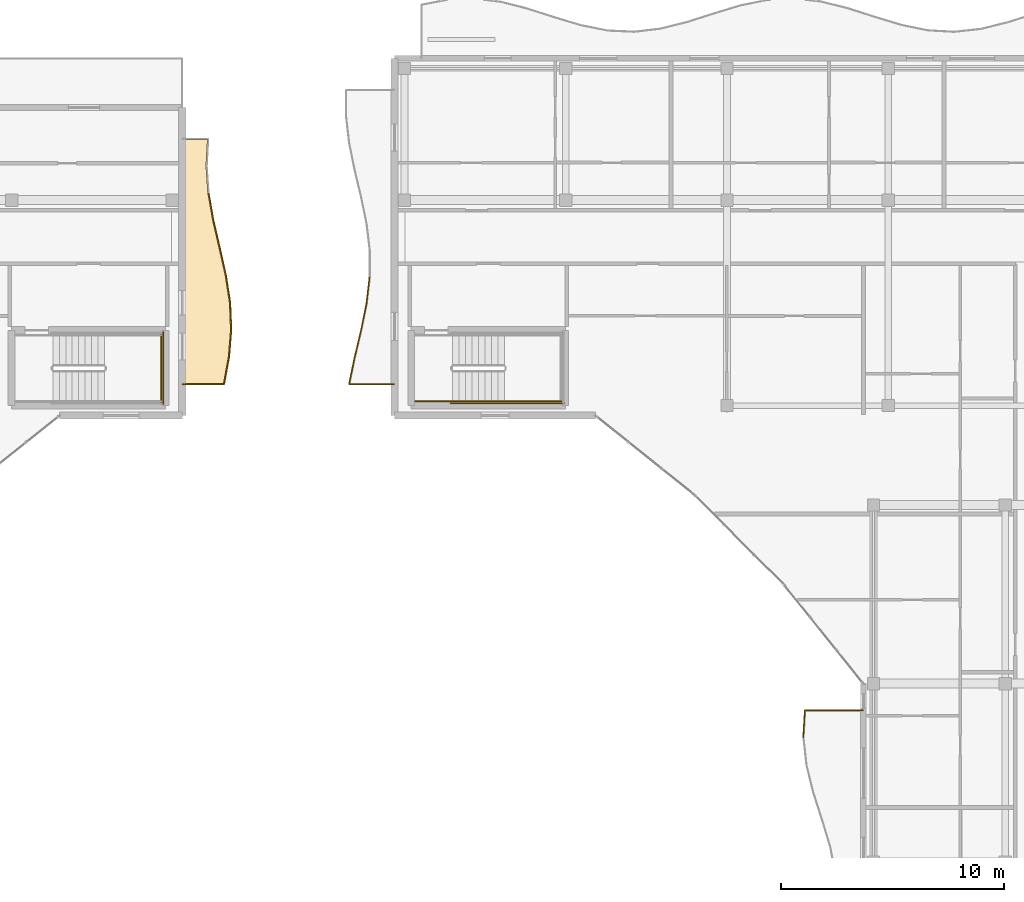
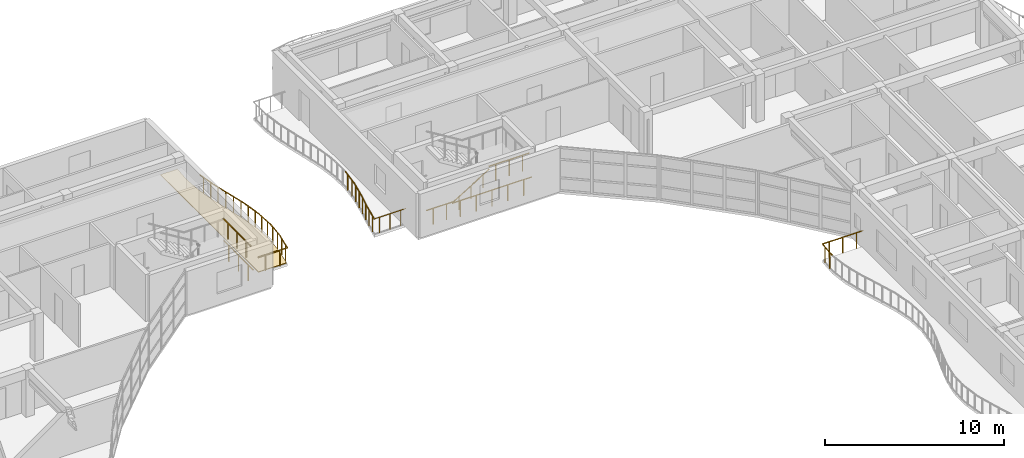
# One storey, part 51 of 54: 21 railings, 1 covering.
"""IFC4 building model written with IfcOpenShell, lengths in metres."""

from ifc_helpers import new_model, si_unit, direction, frame, origin, origin_2d, place, context, subcontext, project, spatial, polyline, circle, outline, extrude, material, layer, layer_set, type_object, element, save


model = new_model("IFC4")

# Units and contexts
model_context = context("Model", 3, precision=1e-05, world=origin(), true_north=direction((0.0, 1.0)))
body_context = subcontext(model_context, "Body", "Model", "MODEL_VIEW")
ifc_project = project(units=[si_unit("LENGTHUNIT", "METRE"), si_unit("AREAUNIT", "SQUARE_METRE"), si_unit("VOLUMEUNIT", "CUBIC_METRE"), si_unit("PLANEANGLEUNIT", "RADIAN"), si_unit("MASSUNIT", "GRAM", prefix="KILO")], contexts=[model_context])

# Site, building, storey
site_placement = place(None, origin())
site = spatial("IfcSite", under=ifc_project, at=site_placement, CompositionType="ELEMENT")
building_placement = place(site_placement, origin())
building = spatial("IfcBuilding", under=site, at=building_placement, Name="Keldmere Railside Commons", CompositionType="ELEMENT")
storey_placement = place(building_placement, frame((0.0, 0.0, 26.56005859375)))
storey = spatial("IfcBuildingStorey", under=building, at=storey_placement, Name="L08", CompositionType="ELEMENT", Elevation=26.56005859375)

# Railings
ifc_material_1 = material(Name="Steel F-24 (S235)", Category="steel")
railing_type_1 = type_object("IfcRailingType", Name="Balcony & Terrace Steel Balustrade 1100", PredefinedType="BALUSTRADE", material=ifc_material_1)
railing_1_placement = place(storey_placement, frame((137.5, 101.39990234375, 0.0)))
element("IfcRailing", 1, at=railing_1_placement, inside=storey, type_object=railing_type_1, Name="GR-1 GRD-L08-2811", PredefinedType="BALUSTRADE", context=body_context, shape_type="SweptSolid", body=[
    extrude(circle(Radius=0.02392578125, at=origin_2d()), frame((0.0, 0.0, 1.076171875), z_axis=(1.0, 0.0, 0.0), x_axis=(0.0, 1.0, 0.0)), (0.0, 0.0, 1.0), 1.872802734375),
    extrude(circle(Radius=0.02099609375, at=origin_2d()), frame((0.46826171875, 0.0, 0.0)), (0.0, 0.0, 1.0), 1.048095703125),
    extrude(circle(Radius=0.02099609375, at=origin_2d()), frame((1.404541015625, 0.0, 0.0)), (0.0, 0.0, 1.0), 1.048095703125),
])
railing_2_placement = place(storey_placement, frame((139.372802734375, 101.39990234375, 0.0)))
element("IfcRailing", 2, at=railing_2_placement, inside=storey, type_object=railing_type_1, Name="GR-1 GRD-L08-2812", PredefinedType="BALUSTRADE", context=body_context, shape_type="SweptSolid", body=[
    extrude(circle(Radius=0.02392578125, at=origin_2d()), frame((0.0, 0.0, 1.076171875), z_axis=(0.180717445733, 0.9835350552, 0.0), x_axis=(-0.9835350552, 0.180717445733, 0.0)), (0.0, 0.0, 1.0), 1.242919921875),
    extrude(circle(Radius=0.02099609375, at=origin_2d()), frame((0.05615234375, 0.3056640625, 0.0)), (0.0, 0.0, 1.0), 1.048095703125),
    extrude(circle(Radius=0.02099609375, at=origin_2d()), frame((0.16845703125, 0.916748046875, 0.0)), (0.0, 0.0, 1.0), 1.048095703125),
])
railing_3_placement = place(storey_placement, frame((139.597412109375, 102.622314453125, 0.0)))
element("IfcRailing", 3, at=railing_3_placement, inside=storey, type_object=railing_type_1, Name="GR-1 GRD-L08-2813", PredefinedType="BALUSTRADE", context=body_context, shape_type="SweptSolid", body=[
    extrude(circle(Radius=0.02392578125, at=origin_2d()), frame((0.0, 0.0, 1.076171875), z_axis=(0.082023913101, 0.996630361608, 0.0), x_axis=(-0.996630361608, 0.082023913101, 0.0)), (0.0, 0.0, 1.0), 1.226318359375),
    extrude(circle(Radius=0.02099609375, at=origin_2d()), frame((0.025146484375, 0.3056640625, 0.0)), (0.0, 0.0, 1.0), 1.048095703125),
    extrude(circle(Radius=0.02099609375, at=origin_2d()), frame((0.075439453125, 0.91650390625, 0.0)), (0.0, 0.0, 1.0), 1.048095703125),
])
railing_4_placement = place(storey_placement, frame((139.697998046875, 103.844482421875, 0.0)))
element("IfcRailing", 4, at=railing_4_placement, inside=storey, type_object=railing_type_1, Name="GR-1 GRD-L08-2814", PredefinedType="BALUSTRADE", context=body_context, shape_type="SweptSolid", body=[
    extrude(circle(Radius=0.02392578125, at=origin_2d()), frame((0.0, 0.0, 1.076171875), z_axis=(-0.042311256352, 0.999104477813, 0.0), x_axis=(-0.999104477813, -0.042311256352, 0.0)), (0.0, 0.0, 1.0), 1.22314453125),
    extrude(circle(Radius=0.02099609375, at=origin_2d()), frame((-0.012939453125, 0.3056640625, 0.0)), (0.0, 0.0, 1.0), 1.048095703125),
    extrude(circle(Radius=0.02099609375, at=origin_2d()), frame((-0.038818359375, 0.91650390625, 0.0)), (0.0, 0.0, 1.0), 1.048095703125),
])
railing_5_placement = place(storey_placement, frame((139.646240234375, 105.066650390625, 0.0)))
element("IfcRailing", 5, at=railing_5_placement, inside=storey, type_object=railing_type_1, Name="GR-1 GRD-L08-2815", PredefinedType="BALUSTRADE", context=body_context, shape_type="SweptSolid", body=[
    extrude(circle(Radius=0.02392578125, at=origin_2d()), frame((0.0, 0.0, 1.076171875), z_axis=(-0.153184448391, 0.988197614231, 0.0), x_axis=(-0.988197614231, -0.153184448391, 0.0)), (0.0, 0.0, 1.0), 1.23681640625),
    extrude(circle(Radius=0.02099609375, at=origin_2d()), frame((-0.04736328125, 0.3056640625, 0.0)), (0.0, 0.0, 1.0), 1.048095703125),
    extrude(circle(Radius=0.02099609375, at=origin_2d()), frame((-0.14208984375, 0.91650390625, 0.0)), (0.0, 0.0, 1.0), 1.048095703125),
])
railing_6_placement = place(storey_placement, frame((139.456787109375, 106.288818359375, 0.0)))
element("IfcRailing", 6, at=railing_6_placement, inside=storey, type_object=railing_type_1, Name="GR-1 GRD-L08-2816", PredefinedType="BALUSTRADE", context=body_context, shape_type="SweptSolid", body=[
    extrude(circle(Radius=0.02392578125, at=origin_2d()), frame((0.0, 0.0, 1.076171875), z_axis=(-0.219261752099, 0.975666072007, 0.0), x_axis=(-0.975666072007, -0.219261752099, 0.0)), (0.0, 0.0, 1.0), 1.252685546875),
    extrude(circle(Radius=0.02099609375, at=origin_2d()), frame((-0.068603515625, 0.3056640625, 0.0)), (0.0, 0.0, 1.0), 1.048095703125),
    extrude(circle(Radius=0.02099609375, at=origin_2d()), frame((-0.2060546875, 0.91650390625, 0.0)), (0.0, 0.0, 1.0), 1.048095703125),
])
railing_7_placement = place(storey_placement, frame((139.18212890625, 107.510986328125, 0.0)))
element("IfcRailing", 7, at=railing_7_placement, inside=storey, type_object=railing_type_1, Name="GR-1 GRD-L08-2817", PredefinedType="BALUSTRADE", context=body_context, shape_type="SweptSolid", body=[
    extrude(circle(Radius=0.02392578125, at=origin_2d()), frame((0.0, 0.0, 1.076171875), z_axis=(-0.226067074001, 0.974111737971, 0.0), x_axis=(-0.974111737971, -0.226067074001, 0.0)), (0.0, 0.0, 1.0), 1.2548828125),
    extrude(circle(Radius=0.02099609375, at=origin_2d()), frame((-0.07080078125, 0.3056640625, 0.0)), (0.0, 0.0, 1.0), 1.048095703125),
    extrude(circle(Radius=0.02099609375, at=origin_2d()), frame((-0.212890625, 0.916748046875, 0.0)), (0.0, 0.0, 1.0), 1.048095703125),
])
railing_8_placement = place(storey_placement, frame((138.8984375, 108.7333984375, 0.0)))
element("IfcRailing", 8, at=railing_8_placement, inside=storey, type_object=railing_type_1, Name="GR-1 GRD-L08-2818", PredefinedType="BALUSTRADE", context=body_context, shape_type="SweptSolid", body=[
    extrude(circle(Radius=0.02392578125, at=origin_2d()), frame((0.0, 0.0, 1.076171875), z_axis=(-0.172179851945, 0.985065530097, 0.0), x_axis=(-0.985065530097, -0.172179851945, 0.0)), (0.0, 0.0, 1.0), 1.24072265625),
    extrude(circle(Radius=0.02099609375, at=origin_2d()), frame((-0.053466796875, 0.3056640625, 0.0)), (0.0, 0.0, 1.0), 1.048095703125),
    extrude(circle(Radius=0.02099609375, at=origin_2d()), frame((-0.16015625, 0.91650390625, 0.0)), (0.0, 0.0, 1.0), 1.048095703125),
])
railing_9_placement = place(storey_placement, frame((165.30224609375, 85.574951171875, 0.0)))
element("IfcRailing", 9, at=railing_9_placement, inside=storey, type_object=railing_type_1, Name="GR-1 GRD-L08-4142", PredefinedType="BALUSTRADE", context=body_context, shape_type="SweptSolid", body=[
    extrude(circle(Radius=0.02392578125, at=origin_2d()), frame((0.0, 0.0, 1.076171875), z_axis=(0.061065576558, 0.998133756247, 0.0), x_axis=(-0.998133756247, 0.061065576558, 0.0)), (0.0, 0.0, 1.0), 1.227294921875),
    extrude(circle(Radius=0.02099609375, at=origin_2d()), frame((0.018798828125, 0.30615234375, 0.0)), (0.0, 0.0, 1.0), 1.048095703125),
    extrude(circle(Radius=0.02099609375, at=origin_2d()), frame((0.05615234375, 0.9189453125, 0.0)), (0.0, 0.0, 1.0), 1.048095703125),
])
railing_10_placement = place(storey_placement, frame((165.377197265625, 86.800048828125, 0.0)))
element("IfcRailing", 10, at=railing_10_placement, inside=storey, type_object=railing_type_1, Name="GR-1 GRD-L08-4143", PredefinedType="BALUSTRADE", context=body_context, shape_type="SweptSolid", body=[
    extrude(circle(Radius=0.02392578125, at=origin_2d()), frame((0.0, 0.0, 1.076171875), z_axis=(1.0, 0.0, 0.0), x_axis=(0.0, 1.0, 0.0)), (0.0, 0.0, 1.0), 2.622802734375),
    extrude(circle(Radius=0.02099609375, at=origin_2d()), frame((0.43701171875, 0.0, 0.0)), (0.0, 0.0, 1.0), 1.048095703125),
    extrude(circle(Radius=0.02099609375, at=origin_2d()), frame((1.3115234375, 0.0, 0.0)), (0.0, 0.0, 1.0), 1.048095703125),
    extrude(circle(Radius=0.02099609375, at=origin_2d()), frame((2.185546875, 0.0, 0.0)), (0.0, 0.0, 1.0), 1.048095703125),
])
railing_11_placement = place(storey_placement, frame((147.0, 101.39990234375, 0.0)))
element("IfcRailing", 11, at=railing_11_placement, inside=storey, type_object=railing_type_1, Name="GR-1 GRD-L08-4194", PredefinedType="BALUSTRADE", context=body_context, shape_type="SweptSolid", body=[
    extrude(circle(Radius=0.02392578125, at=origin_2d()), frame((0.0, 0.0, 1.076171875), z_axis=(-1.0, 0.0, 0.0), x_axis=(0.0, -1.0, 0.0)), (0.0, 0.0, 1.0), 2.034912109375),
    extrude(circle(Radius=0.02099609375, at=origin_2d()), frame((-0.339111328125, 0.0, 0.0)), (0.0, 0.0, 1.0), 1.048095703125),
    extrude(circle(Radius=0.02099609375, at=origin_2d()), frame((-1.017578125, 0.0, 0.0)), (0.0, 0.0, 1.0), 1.048095703125),
    extrude(circle(Radius=0.02099609375, at=origin_2d()), frame((-1.69580078125, 0.0, 0.0)), (0.0, 0.0, 1.0), 1.048095703125),
])
railing_12_placement = place(storey_placement, frame((144.965087890625, 101.39990234375, 0.0)))
element("IfcRailing", 12, at=railing_12_placement, inside=storey, type_object=railing_type_1, Name="GR-1 GRD-L08-4195", PredefinedType="BALUSTRADE", context=body_context, shape_type="SweptSolid", body=[
    extrude(circle(Radius=0.02392578125, at=origin_2d()), frame((0.0, 0.0, 1.076171875), z_axis=(0.202585843046, 0.97926450778, 0.0), x_axis=(-0.97926450778, 0.202585843046, 0.0)), (0.0, 0.0, 1.0), 1.2255859375),
    extrude(circle(Radius=0.02099609375, at=origin_2d()), frame((0.06201171875, 0.300048828125, 0.0)), (0.0, 0.0, 1.0), 1.048095703125),
    extrude(circle(Radius=0.02099609375, at=origin_2d()), frame((0.186279296875, 0.900146484375, 0.0)), (0.0, 0.0, 1.0), 1.048095703125),
])
railing_13_placement = place(storey_placement, frame((145.21337890625, 102.60009765625, 0.0)))
element("IfcRailing", 13, at=railing_13_placement, inside=storey, type_object=railing_type_1, Name="GR-1 GRD-L08-4196", PredefinedType="BALUSTRADE", context=body_context, shape_type="SweptSolid", body=[
    extrude(circle(Radius=0.02392578125, at=origin_2d()), frame((0.0, 0.0, 1.076171875), z_axis=(0.230826468553, 0.97299493391, 0.0), x_axis=(-0.97299493391, 0.230826468553, 0.0)), (0.0, 0.0, 1.0), 1.233154296875),
    extrude(circle(Radius=0.02099609375, at=origin_2d()), frame((0.0712890625, 0.300048828125, 0.0)), (0.0, 0.0, 1.0), 1.048095703125),
    extrude(circle(Radius=0.02099609375, at=origin_2d()), frame((0.21337890625, 0.89990234375, 0.0)), (0.0, 0.0, 1.0), 1.048095703125),
])
railing_14_placement = place(storey_placement, frame((145.498046875, 103.800048828125, 0.0)))
element("IfcRailing", 14, at=railing_14_placement, inside=storey, type_object=railing_type_1, Name="GR-1 GRD-L08-4197", PredefinedType="BALUSTRADE", context=body_context, shape_type="SweptSolid", body=[
    extrude(circle(Radius=0.02392578125, at=origin_2d()), frame((0.0, 0.0, 1.076171875), z_axis=(0.199948294874, 0.979806449957, 0.0), x_axis=(-0.979806449957, 0.199948294874, 0.0)), (0.0, 0.0, 1.0), 1.224609375),
    extrude(circle(Radius=0.02099609375, at=origin_2d()), frame((0.061279296875, 0.300048828125, 0.0)), (0.0, 0.0, 1.0), 1.048095703125),
    extrude(circle(Radius=0.02099609375, at=origin_2d()), frame((0.18359375, 0.89990234375, 0.0)), (0.0, 0.0, 1.0), 1.048095703125),
])
railing_15_placement = place(storey_placement, frame((145.742919921875, 105.0, 0.0)))
element("IfcRailing", 15, at=railing_15_placement, inside=storey, type_object=railing_type_1, Name="GR-1 GRD-L08-4198", PredefinedType="BALUSTRADE", context=body_context, shape_type="SweptSolid", body=[
    extrude(circle(Radius=0.02392578125, at=origin_2d()), frame((0.0, 0.0, 1.076171875), z_axis=(0.11579762567, 0.99327282752, 0.0), x_axis=(-0.99327282752, 0.11579762567, 0.0)), (0.0, 0.0, 1.0), 1.2080078125),
    extrude(circle(Radius=0.02099609375, at=origin_2d()), frame((0.034912109375, 0.300048828125, 0.0)), (0.0, 0.0, 1.0), 1.048095703125),
    extrude(circle(Radius=0.02099609375, at=origin_2d()), frame((0.10498046875, 0.89990234375, 0.0)), (0.0, 0.0, 1.0), 1.048095703125),
])
railing_type_2 = type_object("IfcRailingType", Name="Stair Well Steel Guardrail 1100", PredefinedType="BALUSTRADE", material=ifc_material_1)
railing_16_placement = place(storey_placement, frame((136.550048828125, 100.60009765625, 1.599853515625)))
element("IfcRailing", 16, at=railing_16_placement, inside=storey, type_object=railing_type_2, Name="L08 ST-B2 stair guard 5", PredefinedType="BALUSTRADE", context=body_context, shape_type="SweptSolid", body=[
    extrude(circle(Radius=0.02392578125, at=origin_2d()), frame((0.0, 0.0, 1.076171875), z_axis=(0.0, 1.0, 0.0), x_axis=(-1.0, 0.0, 0.0)), (0.0, 0.0, 1.0), 3.0498046875),
    extrude(circle(Radius=0.02099609375, at=origin_2d()), frame((0.0, 0.50830078125, 0.0)), (0.0, 0.0, 1.0), 1.048095703125),
    extrude(circle(Radius=0.02099609375, at=origin_2d()), frame((0.0, 1.52490234375, 0.0)), (0.0, 0.0, 1.0), 1.048095703125),
    extrude(circle(Radius=0.02099609375, at=origin_2d()), frame((0.0, 2.54150390625, 0.0)), (0.0, 0.0, 1.0), 1.048095703125),
])
railing_17_placement = place(storey_placement, frame((136.64990234375, 100.5, 0.0)))
element("IfcRailing", 17, at=railing_17_placement, inside=storey, type_object=railing_type_2, Name="L08 ST-B2 stair guard 12", PredefinedType="BALUSTRADE", context=body_context, shape_type="SweptSolid", body=[
    extrude(circle(Radius=0.02392578125, at=origin_2d()), frame((0.0, 0.0, 1.076171875), z_axis=(0.0, 1.0, 0.0), x_axis=(-1.0, 0.0, 0.0)), (0.0, 0.0, 1.0), 3.25),
    extrude(circle(Radius=0.02099609375, at=origin_2d()), frame((0.0, 0.541748046875, 0.0)), (0.0, 0.0, 1.0), 1.048095703125),
    extrude(circle(Radius=0.02099609375, at=origin_2d()), frame((0.0, 1.625, 0.0)), (0.0, 0.0, 1.0), 1.048095703125),
    extrude(circle(Radius=0.02099609375, at=origin_2d()), frame((0.0, 2.708251953125, 0.0)), (0.0, 0.0, 1.0), 1.048095703125),
])
railing_18_placement = place(storey_placement, frame((151.919921875, 100.64990234375, 1.599853515625)))
element("IfcRailing", 18, at=railing_18_placement, inside=storey, type_object=railing_type_2, Name="L08 ST-A2 stair guard 3", PredefinedType="BALUSTRADE", context=body_context, shape_type="SweptSolid", body=[
    extrude(circle(Radius=0.02392578125, at=origin_2d()), frame((0.0, 0.0, 1.076171875), z_axis=(1.0, 0.0, 0.0), x_axis=(0.0, 1.0, 0.0)), (0.0, 0.0, 1.0), 2.580078125),
    extrude(circle(Radius=0.02099609375, at=origin_2d()), frame((0.429931640625, 0.0, 0.0)), (0.0, 0.0, 1.0), 1.048095703125),
    extrude(circle(Radius=0.02099609375, at=origin_2d()), frame((1.2900390625, 0.0, 0.0)), (0.0, 0.0, 1.0), 1.048095703125),
    extrude(circle(Radius=0.02099609375, at=origin_2d()), frame((2.150146484375, 0.0, 0.0)), (0.0, 0.0, 1.0), 1.048095703125),
])
railing_19_placement = place(storey_placement, frame((147.89990234375, 100.64990234375, 0.0)))
element("IfcRailing", 19, at=railing_19_placement, inside=storey, type_object=railing_type_2, Name="L08 ST-A2 stair guard 8", PredefinedType="BALUSTRADE", context=body_context, shape_type="SweptSolid", body=[
    extrude(circle(Radius=0.02392578125, at=origin_2d()), frame((0.0, 0.0, 1.076171875), z_axis=(1.0, 0.0, 0.0), x_axis=(0.0, 1.0, 0.0)), (0.0, 0.0, 1.0), 1.7001953125),
    extrude(circle(Radius=0.02099609375, at=origin_2d()), frame((0.425048828125, 0.0, 0.0)), (0.0, 0.0, 1.0), 1.048095703125),
    extrude(circle(Radius=0.02099609375, at=origin_2d()), frame((1.275146484375, 0.0, 0.0)), (0.0, 0.0, 1.0), 1.048095703125),
])
railing_20_placement = place(storey_placement, frame((149.5, 100.550048828125, 0.0)))
element("IfcRailing", 20, at=railing_20_placement, inside=storey, type_object=railing_type_2, Name="L08 ST-A2 stair guard 10", PredefinedType="BALUSTRADE", context=body_context, shape_type="SweptSolid", body=[
    extrude(circle(Radius=0.02392578125, at=origin_2d()), frame((0.0, 0.0, 1.076171875), z_axis=(1.0, 0.0, 0.0), x_axis=(0.0, 1.0, 0.0)), (0.0, 0.0, 1.0), 5.10009765625),
    extrude(circle(Radius=0.02099609375, at=origin_2d()), frame((0.510009765625, 0.0, 0.0)), (0.0, 0.0, 1.0), 1.048095703125),
    extrude(circle(Radius=0.02099609375, at=origin_2d()), frame((1.530029296875, 0.0, 0.0)), (0.0, 0.0, 1.0), 1.048095703125),
    extrude(circle(Radius=0.02099609375, at=origin_2d()), frame((2.550048828125, 0.0, 0.0)), (0.0, 0.0, 1.0), 1.048095703125),
    extrude(circle(Radius=0.02099609375, at=origin_2d()), frame((3.570068359375, 0.0, 0.0)), (0.0, 0.0, 1.0), 1.048095703125),
    extrude(circle(Radius=0.02099609375, at=origin_2d()), frame((4.590087890625, 0.0, 0.0)), (0.0, 0.0, 1.0), 1.048095703125),
])
railing_type_3 = type_object("IfcRailingType", Name="Wall-Mounted Tubular Steel Handrail 900", PredefinedType="HANDRAIL", material=ifc_material_1)
railing_21_placement = place(storey_placement, frame((149.60009765625, 100.64990234375, 0.177734375)))
element("IfcRailing", 21, at=railing_21_placement, inside=storey, type_object=railing_type_3, Name="L08 ST-A2 stair handrail 1", PredefinedType="HANDRAIL", context=body_context, shape_type="SweptSolid", body=[
    extrude(circle(Radius=0.02392578125, at=origin_2d()), frame((0.0, 0.0, 0.8759765625), z_axis=(0.85255353654, 0.0, 0.522639902162), x_axis=(0.0, 1.0, 0.0)), (0.0, 0.0, 1.0), 2.720947265625),
    extrude(circle(Radius=0.02099609375, at=origin_2d()), frame((0.38671875, 0.0, 0.237060546875)), (0.0, 0.0, 1.0), 0.847900390625),
    extrude(circle(Radius=0.02099609375, at=origin_2d()), frame((1.159912109375, 0.0, 0.7109375)), (0.0, 0.0, 1.0), 0.847900390625),
    extrude(circle(Radius=0.02099609375, at=origin_2d()), frame((1.93310546875, 0.0, 1.18505859375)), (0.0, 0.0, 1.0), 0.847900390625),
])

# Covering
ifc_material_2 = material(Name="White Precast Concrete C35/45", Category="concrete")
ifc_layer = layer(ifc_material_2, 0.044921875, Name="White Architectural Balcony Ribbon Cladding 45")
ifc_layer_set = layer_set([ifc_layer], Name="White Precast Concrete C35/45")
covering_type = type_object("IfcCoveringType", Name="White Architectural Balcony Ribbon Cladding 45", PredefinedType="FLOORING", material=ifc_layer_set)
covering_placement = place(storey_placement, origin())
element("IfcCovering", 22, at=covering_placement, inside=storey, type_object=covering_type, Name="CLG-WB B L08 WE White Balcony Ribbon", PredefinedType="FLOORING", context=body_context, shape_type="SweptSolid", body=[
    extrude(outline(polyline([(139.5576171875, 102.62744140625), (139.65771484375, 103.84521484375), (139.606201171875, 105.062744140625), (139.41748046875, 106.281494140625), (139.14306640625, 107.502197265625), (138.859619140625, 108.724365234375), (138.859130859375, 108.726318359375), (138.645263671875, 109.94873046875), (138.644775390625, 109.952880859375), (138.560302734375, 111.175048828125), (138.560302734375, 111.179931640625), (138.626220703125, 112.360107421875), (137.5400390625, 112.360107421875), (137.5400390625, 101.43994140625), (139.33935546875, 101.43994140625), (139.5576171875, 102.62744140625)])), origin(), (0.0, 0.0, 1.0), 0.044921875),
])

save(model, "model.ifc")
